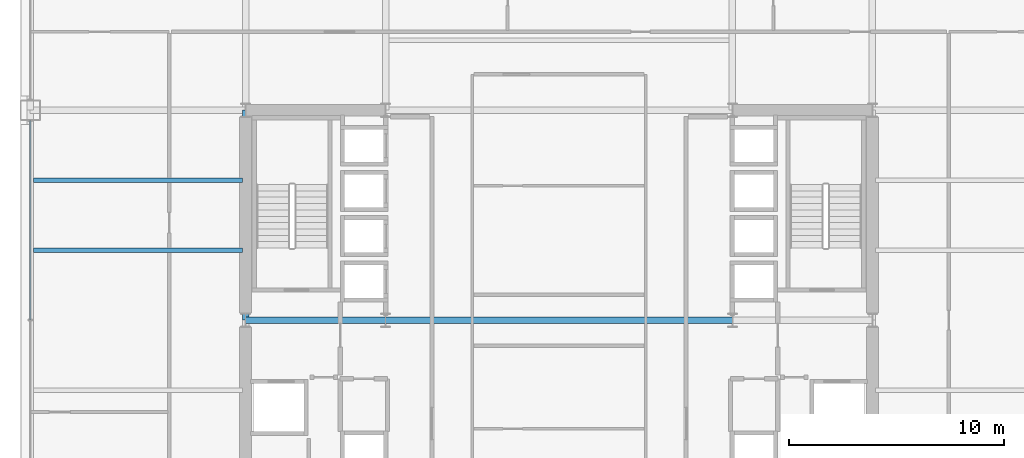
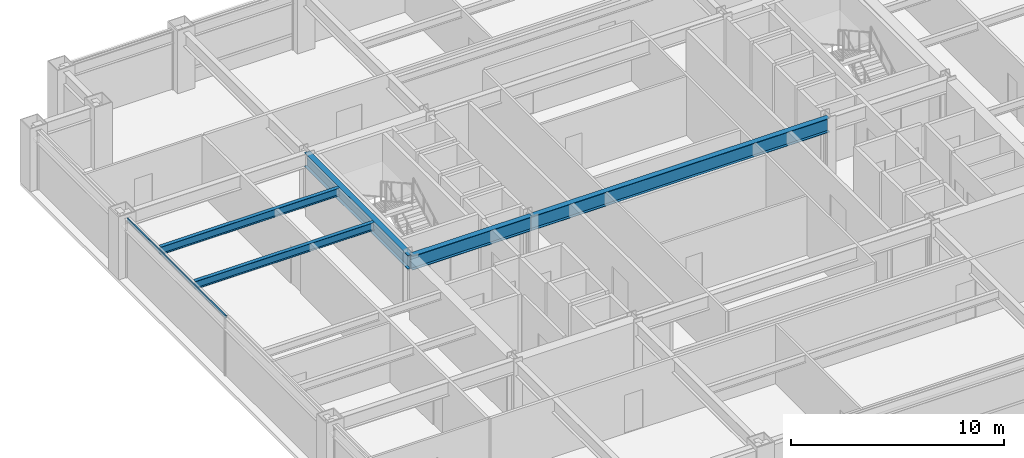
# One storey, part 8 of 31: 5 beams, 1 member, 1 element without a shape of its own.
"""IFC4 building model written with IfcOpenShell, lengths in metres."""

from ifc_helpers import new_model, si_unit, direction, frame, origin, origin_2d, place, context, subcontext, project, spatial, hollow_rectangle, i_section, extrude, material, layer, layer_set, material_profile, profile_set, type_object, element, aggregate, save


model = new_model("IFC4")

# Units and contexts
model_context = context("Model", 3, precision=1e-05, world=origin(), true_north=direction((0.0, 1.0)))
body_context = subcontext(model_context, "Body", "Model", "MODEL_VIEW")
ifc_project = project(units=[si_unit("LENGTHUNIT", "METRE"), si_unit("AREAUNIT", "SQUARE_METRE"), si_unit("VOLUMEUNIT", "CUBIC_METRE"), si_unit("PLANEANGLEUNIT", "RADIAN"), si_unit("MASSUNIT", "GRAM", prefix="KILO")], contexts=[model_context])

# Site, building, storey
site_placement = place(None, origin())
site = spatial("IfcSite", under=ifc_project, at=site_placement, CompositionType="ELEMENT")
building_placement = place(site_placement, origin())
building = spatial("IfcBuilding", under=site, at=building_placement, Name="Brelmoor Portico Tower", CompositionType="ELEMENT")
storey_placement = place(building_placement, frame((0.0, 0.0, 38.39990234375)))
storey = spatial("IfcBuildingStorey", under=building, at=storey_placement, Name="L09", CompositionType="ELEMENT", Elevation=38.39990234375)

# Beams
ifc_material_1 = material(Name="Steel Q355B", Category="steel")
ifc_material_profile_1 = material_profile(ifc_material_1, i_section(OverallWidth=0.199951171875, OverallDepth=0.449951171875, WebThickness=0.009033203125, FlangeThickness=0.013916015625, at=origin_2d()), Name="HN 450x200x9x14")
ifc_profile_set_1 = profile_set([ifc_material_profile_1], Name="Steel Q355B")
beam_type_1 = type_object("IfcBeamType", Name="BM-JS-450", PredefinedType="JOIST", material=ifc_profile_set_1)
for number, where, z_axis, x_axis, name in (
    (1, (-24.39990234375, 3.25, 3.175048828125), (1.0, 0.0, 0.0), (0.0, 1.0, 0.0), "L09 Secondary Wing Joist JS-W07"),
    (2, (-24.39990234375, 6.5, 3.175048828125), (1.0, 0.0, 0.0), (0.0, 1.0, 0.0), "L09 Secondary Wing Joist JS-W08"),
):
    element("IfcBeam", number, at=place(storey_placement, frame(where, z_axis=z_axis, x_axis=x_axis)), inside=storey, type_object=beam_type_1, Name=name, PredefinedType="JOIST", context=body_context, shape_type="SweptSolid", body=[
        extrude(i_section(OverallWidth=0.199951171875, OverallDepth=0.449951171875, WebThickness=0.009033203125, FlangeThickness=0.013916015625, at=origin_2d()), origin(), (0.0, 0.0, 1.0), 9.699951171875),
    ])
ifc_material_profile_2 = material_profile(ifc_material_1, i_section(OverallWidth=0.300048828125, OverallDepth=0.800048828125, WebThickness=0.013916015625, FlangeThickness=0.02587890625, at=origin_2d()), Name="HN 800x300x14x26")
ifc_profile_set_2 = profile_set([ifc_material_profile_2], Name="Steel Q355B")
beam_type_2 = type_object("IfcBeamType", Name="BM-PG-800", PredefinedType="BEAM", material=ifc_profile_set_2)
beam_1_placement = place(storey_placement, frame((-14.550048828125, 0.0, 3.0), z_axis=(0.0, 1.0, 0.0), x_axis=(-1.0, 0.0, 0.0)))
element("IfcBeam", 3, at=beam_1_placement, inside=storey, type_object=beam_type_2, Name="L09 Primary Floor Girder PG-05", PredefinedType="BEAM", context=body_context, shape_type="SweptSolid", body=[
    extrude(i_section(OverallWidth=0.300048828125, OverallDepth=0.800048828125, WebThickness=0.013916015625, FlangeThickness=0.02587890625, at=origin_2d()), origin(), (0.0, 0.0, 1.0), 9.75),
])
beam_2_placement = place(storey_placement, frame((-14.550048828125, 0.0, 3.0), z_axis=(1.0, 0.0, 0.0), x_axis=(0.0, 1.0, 0.0)))
element("IfcBeam", 4, at=beam_2_placement, inside=storey, type_object=beam_type_2, Name="L09 Primary Floor Girder PG-24", PredefinedType="BEAM", context=body_context, shape_type="SweptSolid", body=[
    extrude(i_section(OverallWidth=0.300048828125, OverallDepth=0.800048828125, WebThickness=0.013916015625, FlangeThickness=0.02587890625, at=origin_2d()), origin(), (0.0, 0.0, 1.0), 6.5),
])
beam_3_placement = place(storey_placement, frame((-8.050048828125, 0.0, 3.0), z_axis=(1.0, 0.0, 0.0), x_axis=(0.0, 1.0, 0.0)))
element("IfcBeam", 5, at=beam_3_placement, inside=storey, type_object=beam_type_2, Name="L09 Primary Floor Girder PG-25", PredefinedType="BEAM", context=body_context, shape_type="SweptSolid", body=[
    extrude(i_section(OverallWidth=0.300048828125, OverallDepth=0.800048828125, WebThickness=0.013916015625, FlangeThickness=0.02587890625, at=origin_2d()), origin(), (0.0, 0.0, 1.0), 16.10009765625),
])

# Curtain wall, member
ifc_material_2 = material(Name="Anodised Aluminium Alloy 6063-T6", Category="aluminium")
ifc_layer = layer(ifc_material_2, 0.179931640625)
ifc_layer_set = layer_set([ifc_layer], Name="Anodised Aluminium Alloy 6063-T6")
curtain_wall_type = type_object("IfcCurtainWallType", Name="CW-TOWER-Z1-XB", PredefinedType="NOTDEFINED", material=ifc_layer_set)
curtain_wall_placement = place(storey_placement, origin())
curtain_wall = element("IfcCurtainWall", 6, at=curtain_wall_placement, inside=storey, type_object=curtain_wall_type, Name="L09 Curtain Wall CW-L09-03-2", PredefinedType="NOTDEFINED")
ifc_material_profile_3 = material_profile(ifc_material_2, hollow_rectangle(XDim=0.06494140625, YDim=0.139892578125, WallThickness=0.00390625, at=origin_2d()), Name="ALU TRANSOM 65x140")
ifc_profile_set_3 = profile_set([ifc_material_profile_3], Name="Anodised Aluminium Alloy 6063-T6")
member_type = type_object("IfcMemberType", Name="MB-CW-TRAN-140", PredefinedType="USERDEFINED", material=ifc_profile_set_3)
member_placement = place(storey_placement, frame((-24.550048828125, 0.0, 3.330078125), z_axis=(0.0, 1.0, 0.0), x_axis=(-1.0, 0.0, 0.0)))
member = element("IfcMember", 7, at=member_placement, type_object=member_type, Name="CW-L09-03-2 Transom 1-01", ObjectType="TRANSOM", PredefinedType="USERDEFINED", context=body_context, shape_type="SweptSolid", body=[
    extrude(hollow_rectangle(XDim=0.06494140625, YDim=0.139892578125, WallThickness=0.00390625, at=origin_2d()), origin(), (0.0, 0.0, 1.0), 9.264892578125),
])
aggregate(curtain_wall, [member])

save(model, "model.ifc")
